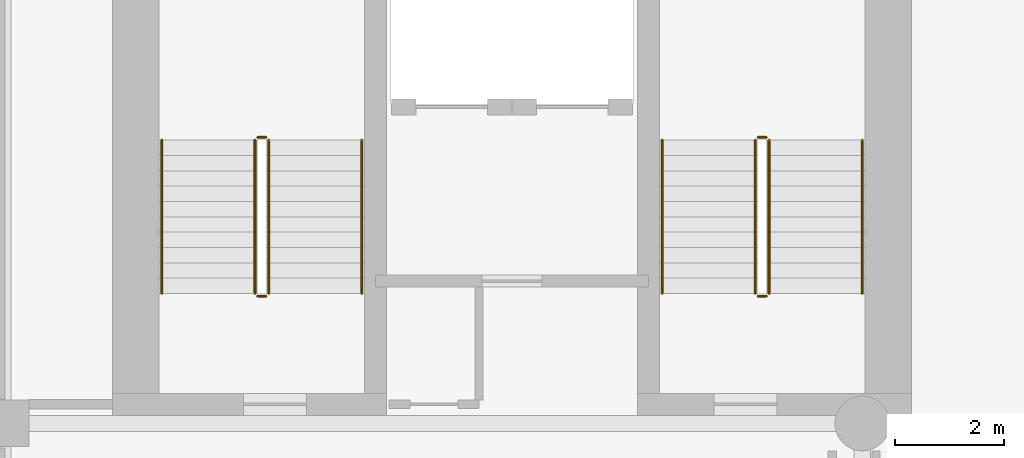
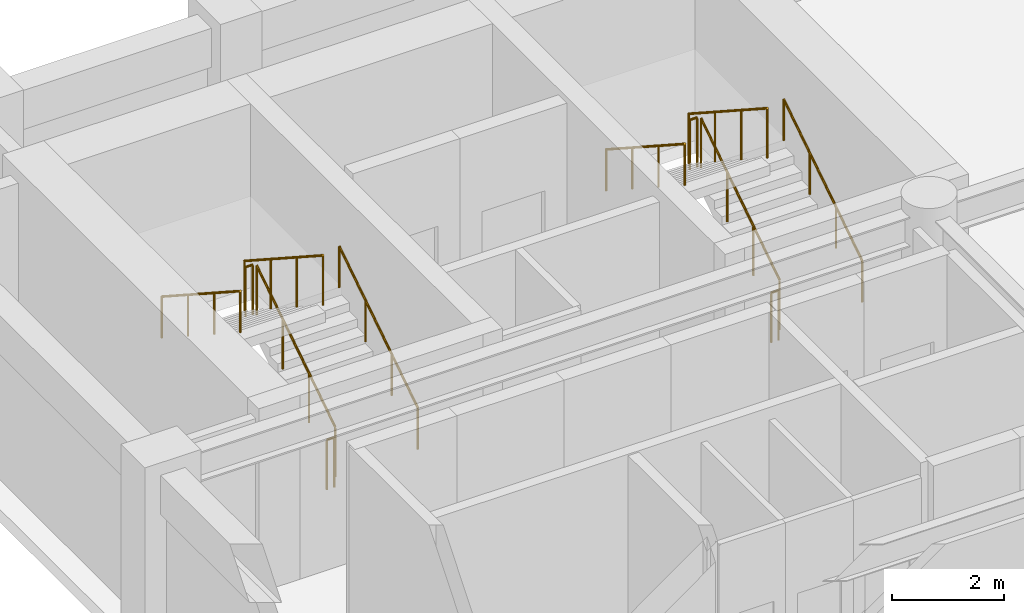
# One storey, part 7 of 8: 12 railings.
"""IFC4 building model written with IfcOpenShell, lengths in metres."""

from ifc_helpers import new_model, si_unit, direction, frame, origin, origin_2d, place, context, subcontext, project, spatial, circle, extrude, material, type_object, element, save


model = new_model("IFC4")

# Units and contexts
model_context = context("Model", 3, precision=1e-05, world=origin(), true_north=direction((0.0, 1.0)))
body_context = subcontext(model_context, "Body", "Model", "MODEL_VIEW")
ifc_project = project(units=[si_unit("LENGTHUNIT", "METRE"), si_unit("AREAUNIT", "SQUARE_METRE"), si_unit("VOLUMEUNIT", "CUBIC_METRE"), si_unit("PLANEANGLEUNIT", "RADIAN"), si_unit("MASSUNIT", "GRAM", prefix="KILO")], contexts=[model_context])

# Site, building, storey
site_placement = place(None, origin())
site = spatial("IfcSite", under=ifc_project, at=site_placement, CompositionType="ELEMENT")
building_placement = place(site_placement, origin())
building = spatial("IfcBuilding", under=site, at=building_placement, Name="Sulina Concourse Tower", CompositionType="ELEMENT")
storey_placement = place(building_placement, frame((0.0, 0.0, 112.60009765625)))
storey = spatial("IfcBuildingStorey", under=building, at=storey_placement, Name="L27", CompositionType="ELEMENT", Elevation=112.60009765625)

# Railings
ifc_material_1 = material(Name="Galvanised steel railing", Category="steel")
railing_type_1 = type_object("IfcRailingType", Name="Core Stair Steel Guardrail 1150mm", PredefinedType="GUARDRAIL", material=ifc_material_1)
railing_1_placement = place(storey_placement, frame((5.554931640625, 36.375, 0.181640625)))
element("IfcRailing", 1, at=railing_1_placement, inside=storey, type_object=railing_type_1, Name="L27 ST-1 stair guard 1", PredefinedType="GUARDRAIL", context=body_context, shape_type="SweptSolid", body=[
    extrude(circle(Radius=0.02392578125, at=origin_2d()), frame((0.0, 0.0, 1.076171875), z_axis=(0.0, 0.838672427954, 0.544636170843), x_axis=(-1.0, 0.0, 0.0)), (0.0, 0.0, 1.0), 3.338623046875),
    extrude(circle(Radius=0.02099609375, at=origin_2d()), origin(), (0.0, 0.0, 1.0), 1.052001953125),
    extrude(circle(Radius=0.02099609375, at=origin_2d()), frame((0.0, 0.933349609375, 0.606201171875)), (0.0, 0.0, 1.0), 1.052001953125),
    extrude(circle(Radius=0.02099609375, at=origin_2d()), frame((0.0, 1.86669921875, 1.212158203125)), (0.0, 0.0, 1.0), 1.052001953125),
    extrude(circle(Radius=0.02099609375, at=origin_2d()), frame((0.0, 2.800048828125, 1.818359375)), (0.0, 0.0, 1.0), 1.052001953125),
])
railing_2_placement = place(storey_placement, frame((5.5048828125, 39.22509765625, 2.0)))
element("IfcRailing", 2, at=railing_2_placement, inside=storey, type_object=railing_type_1, Name="L27 ST-1 stair guard 2", PredefinedType="GUARDRAIL", context=body_context, shape_type="SweptSolid", body=[
    extrude(circle(Radius=0.02392578125, at=origin_2d()), frame((0.0, 0.0, 1.076171875), z_axis=(-1.0, 0.0, 0.0), x_axis=(0.0, -1.0, 0.0)), (0.0, 0.0, 1.0), 0.14990234375),
    extrude(circle(Radius=0.02099609375, at=origin_2d()), origin(), (0.0, 0.0, 1.0), 1.052001953125),
    extrude(circle(Radius=0.02099609375, at=origin_2d()), frame((-0.14990234375, 0.0, 0.0)), (0.0, 0.0, 1.0), 1.052001953125),
])
railing_3_placement = place(storey_placement, frame((5.304931640625, 39.175048828125, 2.181640625)))
element("IfcRailing", 3, at=railing_3_placement, inside=storey, type_object=railing_type_1, Name="L27 ST-1 stair guard 3", PredefinedType="GUARDRAIL", context=body_context, shape_type="SweptSolid", body=[
    extrude(circle(Radius=0.02392578125, at=origin_2d()), frame((0.0, 0.0, 1.076171875), z_axis=(0.0, -0.838672427954, 0.544636170843), x_axis=(1.0, 0.0, 0.0)), (0.0, 0.0, 1.0), 3.338623046875),
    extrude(circle(Radius=0.02099609375, at=origin_2d()), origin(), (0.0, 0.0, 1.0), 1.052001953125),
    extrude(circle(Radius=0.02099609375, at=origin_2d()), frame((0.0, -0.933349609375, 0.606201171875)), (0.0, 0.0, 1.0), 1.052001953125),
    extrude(circle(Radius=0.02099609375, at=origin_2d()), frame((0.0, -1.86669921875, 1.212158203125)), (0.0, 0.0, 1.0), 1.052001953125),
    extrude(circle(Radius=0.02099609375, at=origin_2d()), frame((0.0, -2.800048828125, 1.818359375)), (0.0, 0.0, 1.0), 1.052001953125),
])
railing_4_placement = place(storey_placement, frame((5.5048828125, 36.324951171875, 0.0)))
element("IfcRailing", 4, at=railing_4_placement, inside=storey, type_object=railing_type_1, Name="L27 ST-1 stair guard 4", PredefinedType="GUARDRAIL", context=body_context, shape_type="SweptSolid", body=[
    extrude(circle(Radius=0.02392578125, at=origin_2d()), frame((0.0, 0.0, 1.076171875), z_axis=(-1.0, 0.0, 0.0), x_axis=(0.0, -1.0, 0.0)), (0.0, 0.0, 1.0), 0.14990234375),
    extrude(circle(Radius=0.02099609375, at=origin_2d()), origin(), (0.0, 0.0, 1.0), 1.052001953125),
    extrude(circle(Radius=0.02099609375, at=origin_2d()), frame((-0.14990234375, 0.0, 0.0)), (0.0, 0.0, 1.0), 1.052001953125),
])
railing_5_placement = place(storey_placement, frame((14.695068359375, 36.375, 0.181640625)))
element("IfcRailing", 5, at=railing_5_placement, inside=storey, type_object=railing_type_1, Name="L27 ST-2 stair guard 1", PredefinedType="GUARDRAIL", context=body_context, shape_type="SweptSolid", body=[
    extrude(circle(Radius=0.02392578125, at=origin_2d()), frame((0.0, 0.0, 1.076171875), z_axis=(0.0, 0.838672427954, 0.544636170843), x_axis=(-1.0, 0.0, 0.0)), (0.0, 0.0, 1.0), 3.338623046875),
    extrude(circle(Radius=0.02099609375, at=origin_2d()), origin(), (0.0, 0.0, 1.0), 1.052001953125),
    extrude(circle(Radius=0.02099609375, at=origin_2d()), frame((0.0, 0.933349609375, 0.606201171875)), (0.0, 0.0, 1.0), 1.052001953125),
    extrude(circle(Radius=0.02099609375, at=origin_2d()), frame((0.0, 1.86669921875, 1.212158203125)), (0.0, 0.0, 1.0), 1.052001953125),
    extrude(circle(Radius=0.02099609375, at=origin_2d()), frame((0.0, 2.800048828125, 1.818359375)), (0.0, 0.0, 1.0), 1.052001953125),
])
railing_6_placement = place(storey_placement, frame((14.64501953125, 39.22509765625, 2.0)))
element("IfcRailing", 6, at=railing_6_placement, inside=storey, type_object=railing_type_1, Name="L27 ST-2 stair guard 2", PredefinedType="GUARDRAIL", context=body_context, shape_type="SweptSolid", body=[
    extrude(circle(Radius=0.02392578125, at=origin_2d()), frame((0.0, 0.0, 1.076171875), z_axis=(-1.0, 0.0, 0.0), x_axis=(0.0, -1.0, 0.0)), (0.0, 0.0, 1.0), 0.14990234375),
    extrude(circle(Radius=0.02099609375, at=origin_2d()), origin(), (0.0, 0.0, 1.0), 1.052001953125),
    extrude(circle(Radius=0.02099609375, at=origin_2d()), frame((-0.14990234375, 0.0, 0.0)), (0.0, 0.0, 1.0), 1.052001953125),
])
railing_7_placement = place(storey_placement, frame((14.445068359375, 39.175048828125, 2.181640625)))
element("IfcRailing", 7, at=railing_7_placement, inside=storey, type_object=railing_type_1, Name="L27 ST-2 stair guard 3", PredefinedType="GUARDRAIL", context=body_context, shape_type="SweptSolid", body=[
    extrude(circle(Radius=0.02392578125, at=origin_2d()), frame((0.0, 0.0, 1.076171875), z_axis=(0.0, -0.838672427954, 0.544636170843), x_axis=(1.0, 0.0, 0.0)), (0.0, 0.0, 1.0), 3.338623046875),
    extrude(circle(Radius=0.02099609375, at=origin_2d()), origin(), (0.0, 0.0, 1.0), 1.052001953125),
    extrude(circle(Radius=0.02099609375, at=origin_2d()), frame((0.0, -0.933349609375, 0.606201171875)), (0.0, 0.0, 1.0), 1.052001953125),
    extrude(circle(Radius=0.02099609375, at=origin_2d()), frame((0.0, -1.86669921875, 1.212158203125)), (0.0, 0.0, 1.0), 1.052001953125),
    extrude(circle(Radius=0.02099609375, at=origin_2d()), frame((0.0, -2.800048828125, 1.818359375)), (0.0, 0.0, 1.0), 1.052001953125),
])
railing_8_placement = place(storey_placement, frame((14.64501953125, 36.324951171875, 0.0)))
element("IfcRailing", 8, at=railing_8_placement, inside=storey, type_object=railing_type_1, Name="L27 ST-2 stair guard 4", PredefinedType="GUARDRAIL", context=body_context, shape_type="SweptSolid", body=[
    extrude(circle(Radius=0.02392578125, at=origin_2d()), frame((0.0, 0.0, 1.076171875), z_axis=(-1.0, 0.0, 0.0), x_axis=(0.0, -1.0, 0.0)), (0.0, 0.0, 1.0), 0.14990234375),
    extrude(circle(Radius=0.02099609375, at=origin_2d()), origin(), (0.0, 0.0, 1.0), 1.052001953125),
    extrude(circle(Radius=0.02099609375, at=origin_2d()), frame((-0.14990234375, 0.0, 0.0)), (0.0, 0.0, 1.0), 1.052001953125),
])
ifc_material_2 = material(Name="Galvanised steel railing", Category="steel")
railing_type_2 = type_object("IfcRailingType", Name="Stair Wall Steel Handrail 920mm", PredefinedType="HANDRAIL", material=ifc_material_2)
railing_9_placement = place(storey_placement, frame((7.2548828125, 36.375, 0.181640625)))
element("IfcRailing", 9, at=railing_9_placement, inside=storey, type_object=railing_type_2, Name="L27 ST-1 stair handrail 1", PredefinedType="HANDRAIL", context=body_context, shape_type="SweptSolid", body=[
    extrude(circle(Radius=0.02392578125, at=origin_2d()), frame((0.0, 0.0, 0.89599609375), z_axis=(0.0, 0.838672427954, 0.544636170843), x_axis=(-1.0, 0.0, 0.0)), (0.0, 0.0, 1.0), 3.338623046875),
    extrude(circle(Radius=0.02099609375, at=origin_2d()), origin(), (0.0, 0.0, 1.0), 0.871826171875),
    extrude(circle(Radius=0.02099609375, at=origin_2d()), frame((0.0, 0.933349609375, 0.606201171875)), (0.0, 0.0, 1.0), 0.871826171875),
    extrude(circle(Radius=0.02099609375, at=origin_2d()), frame((0.0, 1.86669921875, 1.212158203125)), (0.0, 0.0, 1.0), 0.871826171875),
    extrude(circle(Radius=0.02099609375, at=origin_2d()), frame((0.0, 2.800048828125, 1.818359375)), (0.0, 0.0, 1.0), 0.871826171875),
])
railing_10_placement = place(storey_placement, frame((3.60498046875, 39.175048828125, 2.181640625)))
element("IfcRailing", 10, at=railing_10_placement, inside=storey, type_object=railing_type_2, Name="L27 ST-1 stair handrail 2", PredefinedType="HANDRAIL", context=body_context, shape_type="SweptSolid", body=[
    extrude(circle(Radius=0.02392578125, at=origin_2d()), frame((0.0, 0.0, 0.89599609375), z_axis=(0.0, -0.838672427954, 0.544636170843), x_axis=(1.0, 0.0, 0.0)), (0.0, 0.0, 1.0), 3.338623046875),
    extrude(circle(Radius=0.02099609375, at=origin_2d()), origin(), (0.0, 0.0, 1.0), 0.871826171875),
    extrude(circle(Radius=0.02099609375, at=origin_2d()), frame((0.0, -0.933349609375, 0.606201171875)), (0.0, 0.0, 1.0), 0.871826171875),
    extrude(circle(Radius=0.02099609375, at=origin_2d()), frame((0.0, -1.86669921875, 1.212158203125)), (0.0, 0.0, 1.0), 0.871826171875),
    extrude(circle(Radius=0.02099609375, at=origin_2d()), frame((0.0, -2.800048828125, 1.818359375)), (0.0, 0.0, 1.0), 0.871826171875),
])
railing_11_placement = place(storey_placement, frame((16.39501953125, 36.375, 0.181640625)))
element("IfcRailing", 11, at=railing_11_placement, inside=storey, type_object=railing_type_2, Name="L27 ST-2 stair handrail 1", PredefinedType="HANDRAIL", context=body_context, shape_type="SweptSolid", body=[
    extrude(circle(Radius=0.02392578125, at=origin_2d()), frame((0.0, 0.0, 0.89599609375), z_axis=(0.0, 0.838672427954, 0.544636170843), x_axis=(-1.0, 0.0, 0.0)), (0.0, 0.0, 1.0), 3.338623046875),
    extrude(circle(Radius=0.02099609375, at=origin_2d()), origin(), (0.0, 0.0, 1.0), 0.871826171875),
    extrude(circle(Radius=0.02099609375, at=origin_2d()), frame((0.0, 0.933349609375, 0.606201171875)), (0.0, 0.0, 1.0), 0.871826171875),
    extrude(circle(Radius=0.02099609375, at=origin_2d()), frame((0.0, 1.86669921875, 1.212158203125)), (0.0, 0.0, 1.0), 0.871826171875),
    extrude(circle(Radius=0.02099609375, at=origin_2d()), frame((0.0, 2.800048828125, 1.818359375)), (0.0, 0.0, 1.0), 0.871826171875),
])
railing_12_placement = place(storey_placement, frame((12.7451171875, 39.175048828125, 2.181640625)))
element("IfcRailing", 12, at=railing_12_placement, inside=storey, type_object=railing_type_2, Name="L27 ST-2 stair handrail 2", PredefinedType="HANDRAIL", context=body_context, shape_type="SweptSolid", body=[
    extrude(circle(Radius=0.02392578125, at=origin_2d()), frame((0.0, 0.0, 0.89599609375), z_axis=(0.0, -0.838672427954, 0.544636170843), x_axis=(1.0, 0.0, 0.0)), (0.0, 0.0, 1.0), 3.338623046875),
    extrude(circle(Radius=0.02099609375, at=origin_2d()), origin(), (0.0, 0.0, 1.0), 0.871826171875),
    extrude(circle(Radius=0.02099609375, at=origin_2d()), frame((0.0, -0.933349609375, 0.606201171875)), (0.0, 0.0, 1.0), 0.871826171875),
    extrude(circle(Radius=0.02099609375, at=origin_2d()), frame((0.0, -1.86669921875, 1.212158203125)), (0.0, 0.0, 1.0), 0.871826171875),
    extrude(circle(Radius=0.02099609375, at=origin_2d()), frame((0.0, -2.800048828125, 1.818359375)), (0.0, 0.0, 1.0), 0.871826171875),
])

save(model, "model.ifc")
